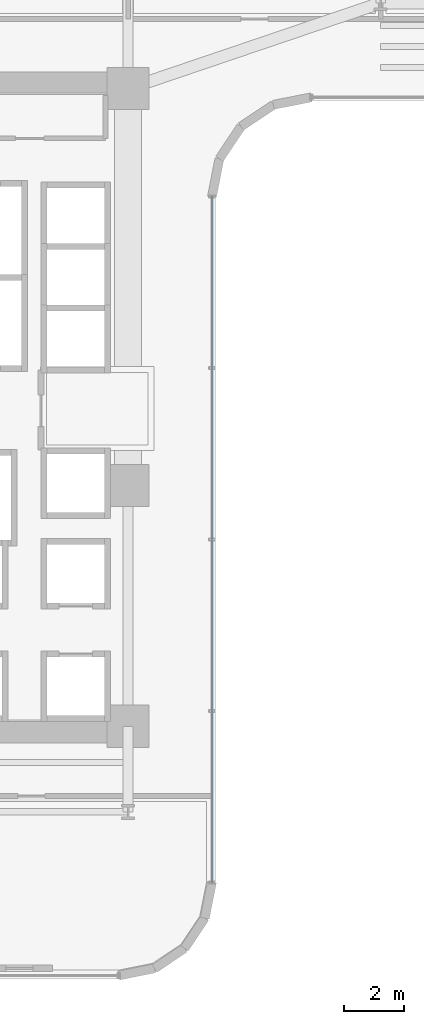
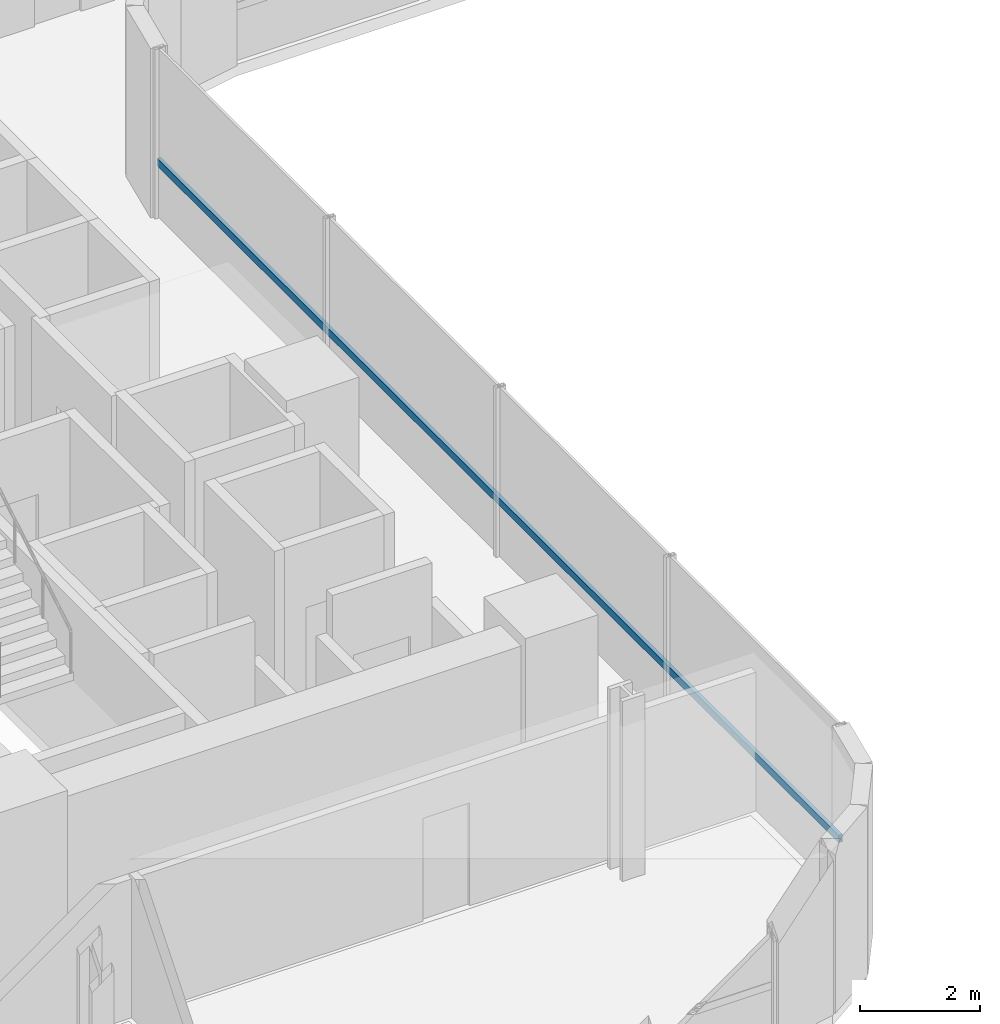
# One storey, part 7 of 38: 1 member, 1 element without a shape of its own.
"""IFC4 building model written with IfcOpenShell, lengths in metres."""

import ifcopenshell
import ifcopenshell.guid

model = None  # the IFC model being written
_history = None  # IfcOwnerHistory: only IFC2X3 demands one
_inside = {}  # id of a spatial element -> (the spatial element, [elements in it])
_under = {}  # id of a project, library or spatial element -> (it, [spatial elements below it])
_declared = {}  # id of a project -> (the project, [libraries it declares])
_typed = {}  # id of a type object -> (the type object, [elements of that type])
_made_of = {}  # id of a material, layer set ... -> (it, [elements and type objects made of it])


def new_model(schema):
    """Start an empty IFC model of exactly this schema.

    Asked for "IFC4X3", IfcOpenShell would pick the latest addendum, in which some entities
    have other attributes; the version numbers below select the first issue.
    IFC2X3 requires an IfcOwnerHistory on every rooted entity: one is made here for all.
    """
    global model, _history
    if schema == "IFC4X3":
        model = ifcopenshell.file(schema_version=(4, 3, 0, 0))
    else:
        model = ifcopenshell.file(schema=schema)
    _inside.clear()
    _under.clear()
    _declared.clear()
    _typed.clear()
    _made_of.clear()
    _history = None
    if model.schema == "IFC2X3":
        org = make("IfcOrganization", Name="unknown")
        user = make(
            "IfcPersonAndOrganization",
            ThePerson=make("IfcPerson", FamilyName="unknown"),
            TheOrganization=org,
        )
        app = make(
            "IfcApplication",
            ApplicationDeveloper=org,
            Version="unknown",
            ApplicationFullName="unknown",
            ApplicationIdentifier="unknown",
        )
        _history = make(
            "IfcOwnerHistory",
            OwningUser=user,
            OwningApplication=app,
            ChangeAction="ADDED",
            CreationDate=0,
        )
    return model


def make(cls, **values):
    """One entity of the class cls with the attributes given. An attribute that is None is left unset."""
    return model.create_entity(
        cls, **{name: value for name, value in values.items() if value is not None}
    )


def rooted(cls, **values):
    """An entity with a GlobalId (a new one), such as an element, a storey or a relation."""
    return make(cls, GlobalId=ifcopenshell.guid.new(), OwnerHistory=_history, **values)


def si_unit(unit_type, name, prefix=None):
    """IfcSIUnit, for example si_unit("LENGTHUNIT", "METRE", prefix="MILLI")."""
    return make("IfcSIUnit", UnitType=unit_type, Prefix=prefix, Name=name)


def assignment(units):
    """IfcUnitAssignment: the units of a project."""
    return None if units is None else make("IfcUnitAssignment", Units=units)


def point(xyz):
    """IfcCartesianPoint."""
    return None if xyz is None else make("IfcCartesianPoint", Coordinates=xyz)


def direction(xyz):
    """IfcDirection."""
    return None if xyz is None else make("IfcDirection", DirectionRatios=xyz)


def frame(location, z_axis=None, x_axis=None):
    """IfcAxis2Placement3D, a coordinate frame: its origin and axes. An axis left out is left unset."""
    return make(
        "IfcAxis2Placement3D",
        Location=point(location),
        Axis=direction(z_axis),
        RefDirection=direction(x_axis),
    )


def frame_2d(location, x_axis=None):
    """IfcAxis2Placement2D, a coordinate frame in the plane: its origin and x axis."""
    return make(
        "IfcAxis2Placement2D", Location=point(location), RefDirection=direction(x_axis)
    )


def origin():
    """The frame at (0, 0, 0) with its axes left unset."""
    return frame((0.0, 0.0, 0.0))


def origin_2d():
    """The frame at (0, 0) in the plane with its x axis left unset."""
    return frame_2d((0.0, 0.0))


def place(relative_to, where):
    """IfcLocalPlacement: puts the frame where relative to a parent placement (None: the world)."""
    return make(
        "IfcLocalPlacement", PlacementRelTo=relative_to, RelativePlacement=where
    )


def context(
    kind, dimensions, precision=None, world=None, true_north=None, identifier=None
):
    """IfcGeometricRepresentationContext, for example the 3D "Model" context."""
    return make(
        "IfcGeometricRepresentationContext",
        ContextIdentifier=identifier,
        ContextType=kind,
        CoordinateSpaceDimension=dimensions,
        Precision=precision,
        WorldCoordinateSystem=world,
        TrueNorth=true_north,
    )


def subcontext(parent, identifier, kind, view, scale=None):
    """IfcGeometricRepresentationSubContext, for example "Body" below "Model"."""
    return make(
        "IfcGeometricRepresentationSubContext",
        ContextIdentifier=identifier,
        ContextType=kind,
        ParentContext=parent,
        TargetScale=scale,
        TargetView=view,
    )


def project(units=None, contexts=None):
    """IfcProject with its units and contexts."""
    return rooted(
        "IfcProject",
        Name="project",
        RepresentationContexts=contexts,
        UnitsInContext=assignment(units),
    )


def spatial(cls, under=None, at=None, **own):
    """A site, building, storey or space (cls), placed at a placement, below another one or the project."""
    s = rooted(cls, ObjectPlacement=at, **own)
    if under is not None:
        _under.setdefault(under.id(), (under, []))[1].append(s)
    return s


def profile(cls, at=None, kind="AREA", **sizes):
    """A parametric profile (cls). Its sizes go by their IFC names, for example OverallWidth=200.0."""
    return make(cls, ProfileType=kind, Position=at, **sizes)


def hollow_rectangle(**sizes):
    """IfcRectangleHollowProfileDef."""
    return profile("IfcRectangleHollowProfileDef", **sizes)


def extrude(swept, where, along, depth):
    """IfcExtrudedAreaSolid: the profile swept, set in the frame where, extruded along a direction by depth."""
    return make(
        "IfcExtrudedAreaSolid",
        SweptArea=swept,
        Position=where,
        ExtrudedDirection=direction(along),
        Depth=depth,
    )


def shape(context_of_items, identifier, shape_type, items):
    """IfcShapeRepresentation: the items that make up one representation, for example the "Body"."""
    return make(
        "IfcShapeRepresentation",
        ContextOfItems=context_of_items,
        RepresentationIdentifier=identifier,
        RepresentationType=shape_type,
        Items=items,
    )


def source(mapping_origin, context_of_items, identifier, shape_type, items):
    """IfcRepresentationMap: a shape defined once, which mapped items show again and again."""
    return make(
        "IfcRepresentationMap",
        MappingOrigin=mapping_origin,
        MappedRepresentation=shape(context_of_items, identifier, shape_type, items),
    )


def transform(
    local_origin,
    x_axis=None,
    y_axis=None,
    z_axis=None,
    scale=None,
    scale2=None,
    scale3=None,
    uniform=True,
):
    """IfcCartesianTransformationOperator3D, or its non-uniform kind. x_axis, y_axis, z_axis: its Axis1, 2, 3."""
    if uniform:
        return make(
            "IfcCartesianTransformationOperator3D",
            Axis1=direction(x_axis),
            Axis2=direction(y_axis),
            LocalOrigin=point(local_origin),
            Scale=scale,
            Axis3=direction(z_axis),
        )
    return make(
        "IfcCartesianTransformationOperator3DnonUniform",
        Axis1=direction(x_axis),
        Axis2=direction(y_axis),
        LocalOrigin=point(local_origin),
        Scale=scale,
        Axis3=direction(z_axis),
        Scale2=scale2,
        Scale3=scale3,
    )


def mapped(mapping_source, mapping_target):
    """IfcMappedItem: shows the shape of a source again, moved by a transform."""
    return make(
        "IfcMappedItem", MappingSource=mapping_source, MappingTarget=mapping_target
    )


def material(Name=None, Category=None):
    """IfcMaterial."""
    return make("IfcMaterial", Name=Name, Category=Category)


def material_profile(
    of_material, cross_section, Name=None, Category=None, Priority=None
):
    """IfcMaterialProfile: a cross section and its material."""
    return make(
        "IfcMaterialProfile",
        Name=Name,
        Material=of_material,
        Profile=cross_section,
        Priority=Priority,
        Category=Category,
    )


def profile_set(profiles, Name=None, composite=None):
    """IfcMaterialProfileSet."""
    return make(
        "IfcMaterialProfileSet",
        Name=Name,
        MaterialProfiles=profiles,
        CompositeProfile=composite,
    )


def made_of(thing, what):
    """Note that an element or type object is made of a material, layer set ...; save() writes the relation."""
    if what is not None:
        _made_of.setdefault(what.id(), (what, []))[1].append(thing)
    return thing


def type_object(cls, material=None, **own):
    """A type object (cls), such as IfcWallType, which elements share."""
    return made_of(rooted(cls, **own), material)


def element(
    cls,
    number,
    at=None,
    inside=None,
    cuts=None,
    type_object=None,
    material=None,
    context=None,
    identifier="Body",
    shape_type=None,
    held_by="IfcProductDefinitionShape",
    body=None,
    shapes=None,
    **own,
):
    """One element of the class cls, such as IfcWall. Its Tag is "e" and its number.

    at: its placement. inside: the storey or other place that contains it. cuts: it is an
    opening in that element (IfcRelVoidsElement). A single representation is given by context,
    identifier, shape_type and body (its items); several are given by shapes. held_by: the class
    of the entity that holds the representations. save() writes the other relations.
    """
    e = rooted(cls, Tag="e%d" % number, ObjectPlacement=at, **own)
    if body is not None:
        shapes = [shape(context, identifier, shape_type, body)]
    if shapes is not None:
        e.Representation = make(held_by, Representations=shapes)
    if inside is not None:
        _inside.setdefault(inside.id(), (inside, []))[1].append(e)
    if cuts is not None:
        rooted(
            "IfcRelVoidsElement", RelatingBuildingElement=cuts, RelatedOpeningElement=e
        )
    if type_object is not None:
        _typed.setdefault(type_object.id(), (type_object, []))[1].append(e)
    return made_of(e, material)


def aggregate(whole, parts):
    """IfcRelAggregates: a whole, such as a stair, and the parts it consists of."""
    return rooted("IfcRelAggregates", RelatingObject=whole, RelatedObjects=parts)


def save(model, path):
    """Write the relations noted so far, then the file.

    IfcRelAggregates (storeys below a building ...), IfcRelContainedInSpatialStructure (elements
    in a storey), IfcRelDefinesByType, IfcRelAssociatesMaterial and IfcRelDeclares: one each for
    every whole, place, type object, material and project.
    """
    for whole, parts in _under.values():
        aggregate(whole, parts)
    for where, things in _inside.values():
        rooted(
            "IfcRelContainedInSpatialStructure",
            RelatedElements=things,
            RelatingStructure=where,
        )
    for kind, things in _typed.values():
        rooted("IfcRelDefinesByType", RelatedObjects=things, RelatingType=kind)
    for what, things in _made_of.values():
        rooted("IfcRelAssociatesMaterial", RelatedObjects=things, RelatingMaterial=what)
    for by, libraries in _declared.values():
        rooted("IfcRelDeclares", RelatingContext=by, RelatedDefinitions=libraries)
    model.write(path)


model = new_model("IFC4")

# Units and contexts
model_context = context("Model", 3, precision=1e-05, world=origin(), true_north=direction((0.0, 1.0)))
body_context = subcontext(model_context, "Body", "Model", "MODEL_VIEW")
ifc_project = project(units=[si_unit("LENGTHUNIT", "METRE"), si_unit("AREAUNIT", "SQUARE_METRE"), si_unit("VOLUMEUNIT", "CUBIC_METRE"), si_unit("PLANEANGLEUNIT", "RADIAN"), si_unit("MASSUNIT", "GRAM", prefix="KILO")], contexts=[model_context])

# Site, building, storey
site_placement = place(None, origin())
site = spatial("IfcSite", under=ifc_project, at=site_placement, CompositionType="ELEMENT")
building_placement = place(site_placement, origin())
building = spatial("IfcBuilding", under=site, at=building_placement, Name="Valdorenza Pilgrim Sanctuary Tower", CompositionType="ELEMENT")
storey_placement = place(building_placement, frame((0.0, 0.0, 37.10009765625)))
storey = spatial("IfcBuildingStorey", under=building, at=storey_placement, Name="L08", CompositionType="ELEMENT", Elevation=37.10009765625)

# Curtain wall, member
ifc_material_1 = material(Name="Curtain-wall IGU glazing", Category="glass")
curtain_wall_type = type_object("IfcCurtainWallType", Name="CW-SYS-02", PredefinedType="NOTDEFINED", material=ifc_material_1)
curtain_wall_placement = place(storey_placement, origin())
curtain_wall = element("IfcCurtainWall", 1, at=curtain_wall_placement, inside=storey, type_object=curtain_wall_type, Name="L08 Curtain Wall CW-L08-1-41", PredefinedType="NOTDEFINED")
ifc_material_2 = material(Name="Anodised aluminium AW-6060", Category="aluminium")
ifc_material_profile = material_profile(ifc_material_2, hollow_rectangle(XDim=0.074951171875, YDim=0.14990234375, WallThickness=0.00390625, at=origin_2d()), Name="ALU-T 150x75x4")
ifc_profile_set = profile_set([ifc_material_profile], Name="Anodised aluminium AW-6060")
member_type = type_object("IfcMemberType", Name="CW-TRN-02", PredefinedType="USERDEFINED", material=ifc_profile_set)
shared_shape = source(origin(), body_context, "Body", "SweptSolid", [
    extrude(hollow_rectangle(XDim=0.074951171875, YDim=0.14990234375, WallThickness=0.00390625, at=origin_2d()), origin(), (0.0, 0.0, 1.0), 22.800048828125),
])
member_placement = place(storey_placement, frame((-9.610107421875, 7.0107421875, 1.119873046875), z_axis=(0.0, -1.0, 0.0), x_axis=(1.0, 0.0, 0.0)))
member = element("IfcMember", 2, at=member_placement, type_object=member_type, Name="CW-L08-1-41 Transom 1", ObjectType="TRANSOM", PredefinedType="USERDEFINED", context=body_context, shape_type="MappedRepresentation", body=[
    mapped(shared_shape, transform((0.0, 0.0, 0.0), x_axis=(1.0, 0.0, 0.0), y_axis=(0.0, 1.0, 0.0), z_axis=(0.0, 0.0, 1.0), scale=1.0)),
])
aggregate(curtain_wall, [member])

save(model, "model.ifc")
